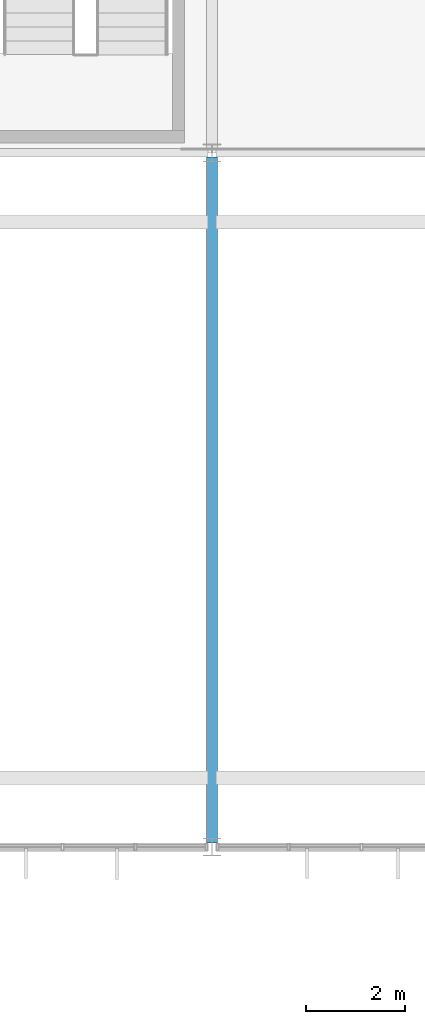
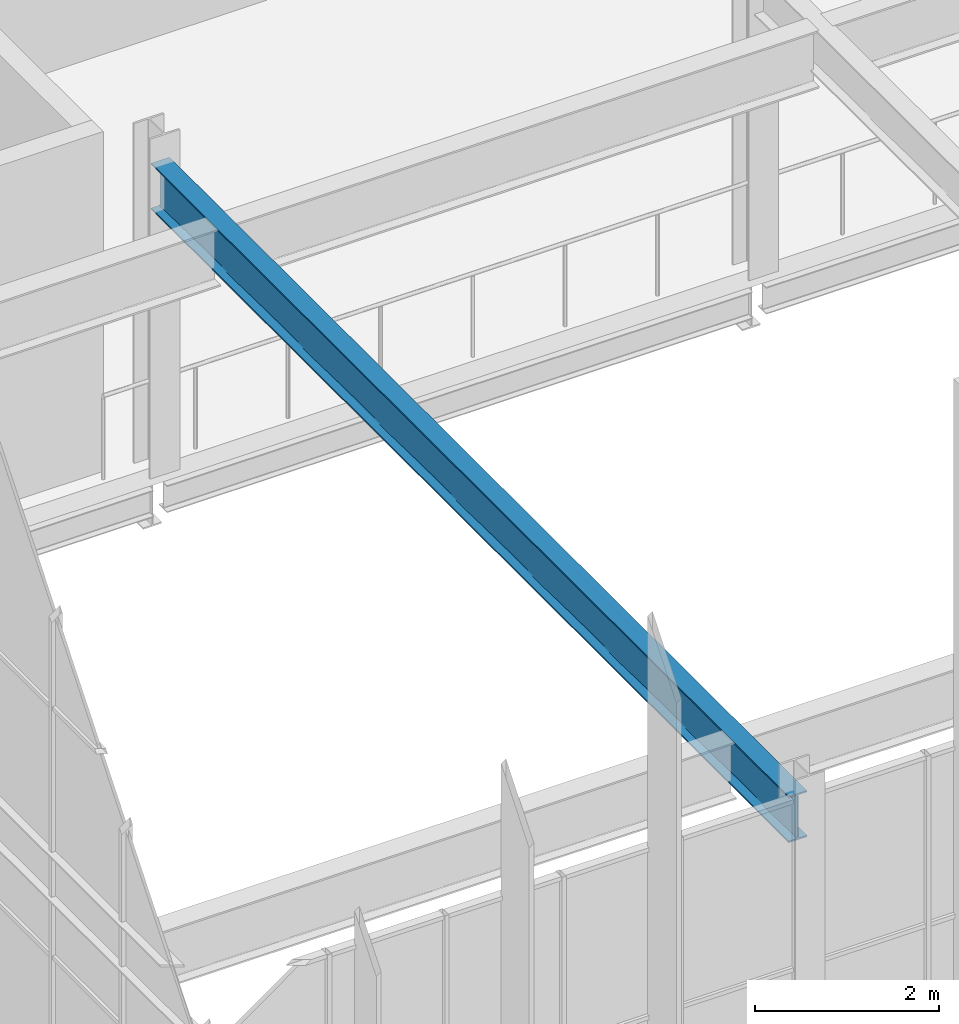
# One storey, part 70 of 324: 1 beam.
"""IFC4 building model written with IfcOpenShell, lengths in metres."""

from ifc_helpers import new_model, si_unit, direction, frame, origin, origin_2d, place, context, subcontext, project, spatial, i_section, extrude, material, material_profile, profile_set, type_object, element, save


model = new_model("IFC4")

# Units and contexts
model_context = context("Model", 3, precision=1e-05, world=origin(), true_north=direction((0.0, 1.0)))
body_context = subcontext(model_context, "Body", "Model", "MODEL_VIEW")
ifc_project = project(units=[si_unit("LENGTHUNIT", "METRE"), si_unit("AREAUNIT", "SQUARE_METRE"), si_unit("VOLUMEUNIT", "CUBIC_METRE"), si_unit("PLANEANGLEUNIT", "RADIAN"), si_unit("MASSUNIT", "GRAM", prefix="KILO")], contexts=[model_context])

# Site, building, storey
site_placement = place(None, origin())
site = spatial("IfcSite", under=ifc_project, at=site_placement, CompositionType="ELEMENT")
building_placement = place(site_placement, origin())
building = spatial("IfcBuilding", under=site, at=building_placement, Name="Solvenia Promenade Tram Depot", CompositionType="ELEMENT")
storey_placement = place(building_placement, frame((0.0, 0.0, 4.5)))
storey = spatial("IfcBuildingStorey", under=building, at=storey_placement, Name="L01", CompositionType="ELEMENT", Elevation=4.5)

# Beam
ifc_material = material(Name="Structural steel ASTM A992 Gr. 50", Category="steel")
ifc_material_profile = material_profile(ifc_material, i_section(OverallWidth=0.22900390625, OverallDepth=0.612060546875, WebThickness=0.011962890625, FlangeThickness=0.01953125, FilletRadius=0.014892578125, at=origin_2d()), Name="W610x125", Category="steel")
ifc_profile_set = profile_set([ifc_material_profile], Name="Structural steel ASTM A992 Gr. 50")
beam_type = type_object("IfcBeamType", Name="Gird-W610x125", PredefinedType="BEAM", material=ifc_profile_set)
beam_placement = place(storey_placement, frame((112.5, 24.0849609375, 3.7939453125), z_axis=(0.0, 1.0, 0.0), x_axis=(-1.0, 0.0, 0.0)))
element("IfcBeam", 1, at=beam_placement, inside=storey, type_object=beam_type, Name="Crane Hall Cross Bearer BM-L01-0907", PredefinedType="BEAM", context=body_context, shape_type="SweptSolid", body=[
    extrude(i_section(OverallWidth=0.22900390625, OverallDepth=0.612060546875, WebThickness=0.011962890625, FlangeThickness=0.01953125, FilletRadius=0.014892578125, at=origin_2d()), origin(), (0.0, 0.0, 1.0), 13.830078125),
])

save(model, "model.ifc")
